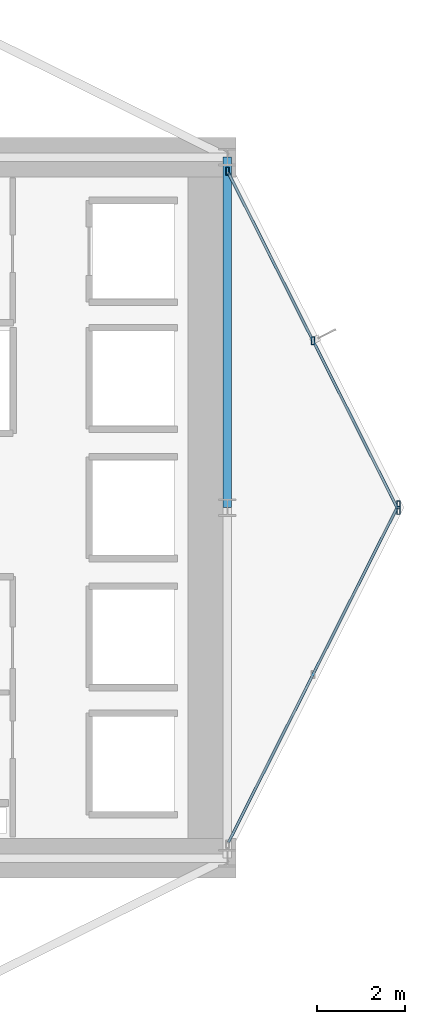
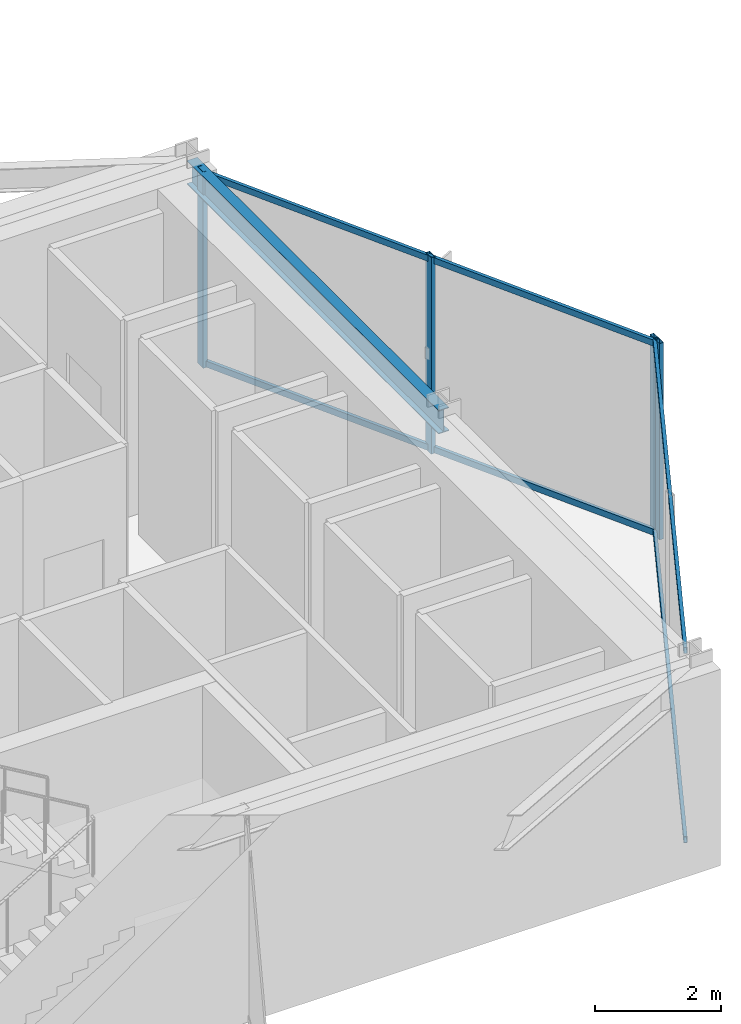
# One storey, part 19 of 30: 8 members, 1 beam, 2 elements without a shape of their own.
"""IFC4 building model written with IfcOpenShell, lengths in metres."""

from ifc_helpers import new_model, si_unit, direction, frame, origin, origin_2d, place, context, subcontext, project, spatial, hollow_rectangle, i_section, extrude, material, layer, layer_set, material_profile, profile_set, type_object, element, aggregate, save


model = new_model("IFC4")

# Units and contexts
model_context = context("Model", 3, precision=1e-05, world=origin(), true_north=direction((0.0, 1.0)))
body_context = subcontext(model_context, "Body", "Model", "MODEL_VIEW")
ifc_project = project(units=[si_unit("LENGTHUNIT", "METRE"), si_unit("AREAUNIT", "SQUARE_METRE"), si_unit("VOLUMEUNIT", "CUBIC_METRE"), si_unit("PLANEANGLEUNIT", "RADIAN"), si_unit("MASSUNIT", "GRAM", prefix="KILO")], contexts=[model_context])

# Site, building, storey
site_placement = place(None, origin())
site = spatial("IfcSite", under=ifc_project, at=site_placement, CompositionType="ELEMENT")
building_placement = place(site_placement, origin())
building = spatial("IfcBuilding", under=site, at=building_placement, Name="Veymaron Broadcast Tower", CompositionType="ELEMENT")
storey_placement = place(building_placement, frame((0.0, 0.0, 49.949951171875)))
storey = spatial("IfcBuildingStorey", under=building, at=storey_placement, Name="L10", CompositionType="ELEMENT", Elevation=49.949951171875)

# Beam
ifc_material_1 = material(Name="Structural steel ASTM A992 Gr 50", Category="steel")
ifc_material_profile_1 = material_profile(ifc_material_1, i_section(OverallWidth=0.19091796875, OverallDepth=0.4599609375, WebThickness=0.010009765625, FlangeThickness=0.01611328125, at=origin_2d()), Name="W460X82")
ifc_profile_set_1 = profile_set([ifc_material_profile_1], Name="Structural steel ASTM A992 Gr 50")
beam_type = type_object("IfcBeamType", Name="BM-SP1", PredefinedType="SPANDREL", material=ifc_profile_set_1)
beam_placement = place(storey_placement, frame((54.60009765625, 24.0, 3.580078125), z_axis=(0.0, 1.0, 0.0), x_axis=(-1.0, 0.0, 0.0)))
element("IfcBeam", 1, at=beam_placement, inside=storey, type_object=beam_type, Name="L10 primary structural floor girder", PredefinedType="SPANDREL", context=body_context, shape_type="SweptSolid", body=[
    extrude(i_section(OverallWidth=0.19091796875, OverallDepth=0.4599609375, WebThickness=0.010009765625, FlangeThickness=0.01611328125, at=origin_2d()), origin(), (0.0, 0.0, 1.0), 8.0),
])

# Curtain wall, member
ifc_material_2 = material(Name="Anodised aluminium AA 6063-T6 and laminated low-E dark glass", Category="aluminium")
ifc_layer = layer(ifc_material_2, 0.179931640625)
ifc_layer_set = layer_set([ifc_layer], Name="Anodised aluminium AA 6063-T6 and laminated low-E dark glass")
curtain_wall_type = type_object("IfcCurtainWallType", Name="CW-SYS-02", PredefinedType="NOTDEFINED", material=ifc_layer_set)
curtain_wall_1_placement = place(storey_placement, origin())
curtain_wall_1 = element("IfcCurtainWall", 2, at=curtain_wall_1_placement, inside=storey, type_object=curtain_wall_type, Name="L10 dark-glass curtain wall CW-L10-E2-1", PredefinedType="NOTDEFINED")
ifc_material_3 = material(Name="Anodised aluminium AA 6063-T6", Category="aluminium")
ifc_material_profile_2 = material_profile(ifc_material_3, hollow_rectangle(XDim=0.074951171875, YDim=0.179931640625, WallThickness=0.0048828125, at=origin_2d()), Name="AL180X75X5")
ifc_profile_set_2 = profile_set([ifc_material_profile_2], Name="Anodised aluminium AA 6063-T6")
member_type_1 = type_object("IfcMemberType", Name="CW-MUL-02", PredefinedType="MULLION", material=ifc_profile_set_2)
member_1_placement = place(storey_placement, frame((58.507080078125, 24.06298828125, 0.0), z_axis=(0.0, 0.0, 1.0), x_axis=(1.0, 0.0, 0.0)))
member_1 = element("IfcMember", 3, at=member_1_placement, type_object=member_type_1, Name="CW-L10-E2-1 mullion 2", PredefinedType="MULLION", context=body_context, shape_type="SweptSolid", body=[
    extrude(hollow_rectangle(XDim=0.074951171875, YDim=0.179931640625, WallThickness=0.0048828125, at=origin_2d()), origin(), (0.0, 0.0, 1.0), 3.81005859375),
])

# Curtain wall, members
curtain_wall_2_placement = place(storey_placement, origin())
curtain_wall_2 = element("IfcCurtainWall", 4, at=curtain_wall_2_placement, inside=storey, type_object=curtain_wall_type, Name="L10 dark-glass curtain wall CW-L10-E3-1", PredefinedType="NOTDEFINED")
member_2_placement = place(storey_placement, frame((58.507080078125, 23.93701171875, 0.0), z_axis=(0.0, 0.0, 1.0), x_axis=(1.0, 0.0, 0.0)))
member_2 = element("IfcMember", 5, at=member_2_placement, type_object=member_type_1, Name="CW-L10-E3-1 mullion 0", PredefinedType="MULLION", context=body_context, shape_type="SweptSolid", body=[
    extrude(hollow_rectangle(XDim=0.074951171875, YDim=0.179931640625, WallThickness=0.0048828125, at=origin_2d()), origin(), (0.0, 0.0, 1.0), 3.81005859375),
])
member_3_placement = place(storey_placement, frame((56.555419921875, 27.80908203125, 0.0), z_axis=(0.0, 0.0, 1.0), x_axis=(1.0, 0.0, 0.0)))
member_3 = element("IfcMember", 6, at=member_3_placement, type_object=member_type_1, Name="CW-L10-E3-1 mullion 1", PredefinedType="MULLION", context=body_context, shape_type="SweptSolid", body=[
    extrude(hollow_rectangle(XDim=0.074951171875, YDim=0.179931640625, WallThickness=0.0048828125, at=origin_2d()), origin(), (0.0, 0.0, 1.0), 3.81005859375),
])
member_4_placement = place(storey_placement, frame((54.60400390625, 31.681396484375, 0.0), z_axis=(0.0, 0.0, 1.0), x_axis=(1.0, 0.0, 0.0)))
member_4 = element("IfcMember", 7, at=member_4_placement, type_object=member_type_1, Name="CW-L10-E3-1 mullion 2", PredefinedType="MULLION", context=body_context, shape_type="SweptSolid", body=[
    extrude(hollow_rectangle(XDim=0.074951171875, YDim=0.179931640625, WallThickness=0.0048828125, at=origin_2d()), origin(), (0.0, 0.0, 1.0), 3.81005859375),
])

# Member
ifc_material_profile_3 = material_profile(ifc_material_3, hollow_rectangle(XDim=0.06005859375, YDim=0.1201171875, WallThickness=0.00390625, at=origin_2d()), Name="AL120X60X4")
ifc_profile_set_3 = profile_set([ifc_material_profile_3], Name="Anodised aluminium AA 6063-T6")
member_type_2 = type_object("IfcMemberType", Name="CW-TRN-02", PredefinedType="USERDEFINED", material=ifc_profile_set_3)
member_5_placement = place(storey_placement, frame((54.62646484375, 16.36328125, 0.070068359375), z_axis=(0.450070710256, 0.892992920336, 0.0), x_axis=(-0.892992920336, 0.450070710256, 0.0)))
member_5 = element("IfcMember", 8, at=member_5_placement, type_object=member_type_2, Name="CW-L10-E2-1 transom B", ObjectType="TRANSOM", PredefinedType="USERDEFINED", context=body_context, shape_type="SweptSolid", body=[
    extrude(hollow_rectangle(XDim=0.06005859375, YDim=0.1201171875, WallThickness=0.00390625, at=origin_2d()), origin(), (0.0, 0.0, 1.0), 8.572265625),
])

member_6_placement = place(storey_placement, frame((54.62646484375, 16.36328125, 3.739990234375), z_axis=(0.450070710256, 0.892992920336, 0.0), x_axis=(-0.892992920336, 0.450070710256, 0.0)))
member_6 = element("IfcMember", 9, at=member_6_placement, type_object=member_type_2, Name="CW-L10-E2-1 transom T", ObjectType="TRANSOM", PredefinedType="USERDEFINED", context=body_context, shape_type="SweptSolid", body=[
    extrude(hollow_rectangle(XDim=0.06005859375, YDim=0.1201171875, WallThickness=0.00390625, at=origin_2d()), origin(), (0.0, 0.0, 1.0), 8.572265625),
])

aggregate(curtain_wall_1, [member_1, member_5, member_6])

member_7_placement = place(storey_placement, frame((58.484619140625, 23.981689453125, 0.070068359375), z_axis=(-0.450070710256, 0.892992920336, 0.0), x_axis=(-0.892992920336, -0.450070710256, 0.0)))
member_7 = element("IfcMember", 10, at=member_7_placement, type_object=member_type_2, Name="CW-L10-E3-1 transom B", ObjectType="TRANSOM", PredefinedType="USERDEFINED", context=body_context, shape_type="SweptSolid", body=[
    extrude(hollow_rectangle(XDim=0.06005859375, YDim=0.1201171875, WallThickness=0.00390625, at=origin_2d()), origin(), (0.0, 0.0, 1.0), 8.572265625),
])

member_8_placement = place(storey_placement, frame((58.484619140625, 23.981689453125, 3.739990234375), z_axis=(-0.450070710256, 0.892992920336, 0.0), x_axis=(-0.892992920336, -0.450070710256, 0.0)))
member_8 = element("IfcMember", 11, at=member_8_placement, type_object=member_type_2, Name="CW-L10-E3-1 transom T", ObjectType="TRANSOM", PredefinedType="USERDEFINED", context=body_context, shape_type="SweptSolid", body=[
    extrude(hollow_rectangle(XDim=0.06005859375, YDim=0.1201171875, WallThickness=0.00390625, at=origin_2d()), origin(), (0.0, 0.0, 1.0), 8.572265625),
])

aggregate(curtain_wall_2, [member_2, member_3, member_4, member_7, member_8])

save(model, "model.ifc")
